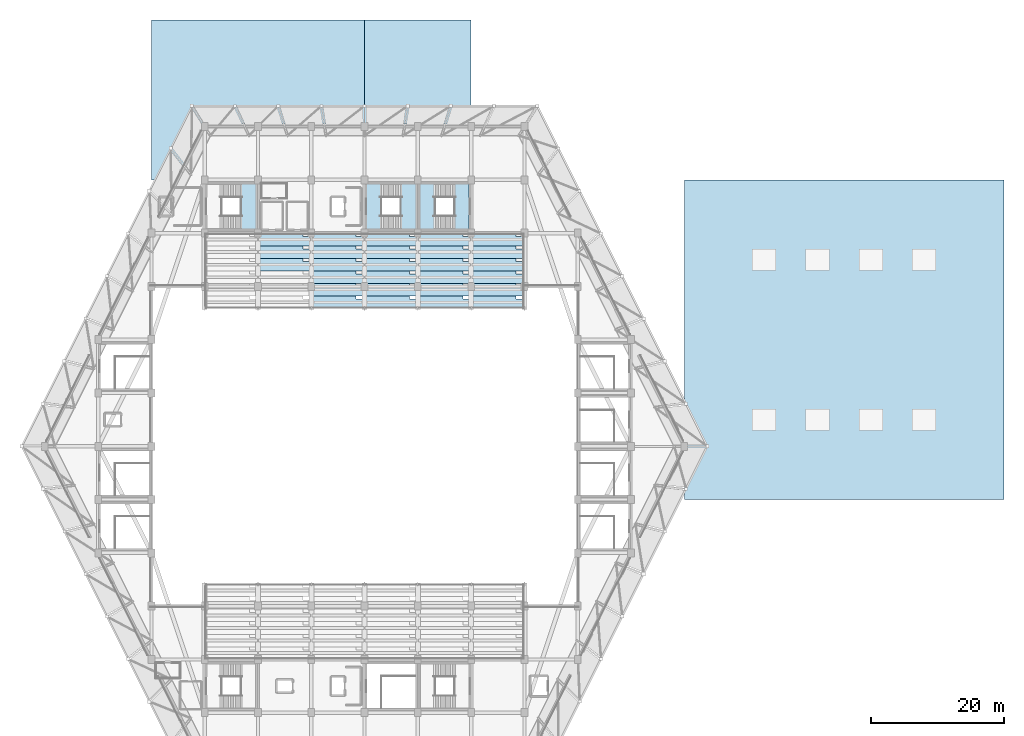
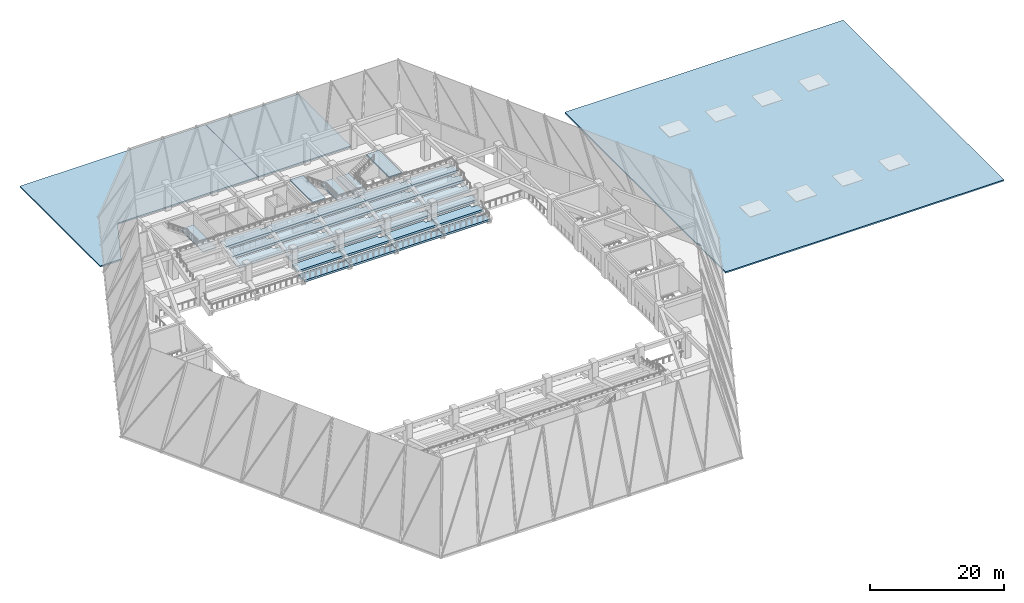
# One storey, part 6 of 24: 35 slabs, 3 elements without a shape of their own.
"""IFC4 building model written with IfcOpenShell, lengths in metres."""

from ifc_helpers import new_model, si_unit, direction, frame, origin, place, context, subcontext, project, spatial, polyline, outline, extrude, material, layer, layer_set, type_object, element, aggregate, save


model = new_model("IFC4")

# Units and contexts
model_context = context("Model", 3, precision=1e-05, world=origin(), true_north=direction((0.0, 1.0)))
body_context = subcontext(model_context, "Body", "Model", "MODEL_VIEW")
ifc_project = project(units=[si_unit("LENGTHUNIT", "METRE"), si_unit("AREAUNIT", "SQUARE_METRE"), si_unit("VOLUMEUNIT", "CUBIC_METRE"), si_unit("PLANEANGLEUNIT", "RADIAN"), si_unit("MASSUNIT", "GRAM", prefix="KILO")], contexts=[model_context])

# Site, building, storey
site_placement = place(None, origin())
site = spatial("IfcSite", under=ifc_project, at=site_placement, CompositionType="ELEMENT")
building_placement = place(site_placement, origin())
building = spatial("IfcBuilding", under=site, at=building_placement, Name="Tazarka Park Arena", CompositionType="ELEMENT")
storey_placement = place(building_placement, frame((0.0, 0.0, 15.0)))
storey = spatial("IfcBuildingStorey", under=building, at=storey_placement, Name="L03", CompositionType="ELEMENT", Elevation=15.0)

# Stair, slabs
ifc_material_1 = material(Name="Precast concrete C40/50", Category="concrete")
stair_type = type_object("IfcStairType", Name="STR-2400", PredefinedType="HALF_TURN_STAIR", material=ifc_material_1)
stair_1_placement = place(storey_placement, origin())
stair_1 = element("IfcStair", 1, at=stair_1_placement, inside=storey, type_object=stair_type, Name="Stair ST10 L03", PredefinedType="HALF_TURN_STAIR")
ifc_material_2 = material(Name="Precast concrete C40/50", Category="concrete")
ifc_layer_1 = layer(ifc_material_2, 0.219970703125, Name="Precast concrete C40/50")
ifc_layer_set_1 = layer_set([ifc_layer_1], Name="Precast concrete C40/50")
slab_type_1 = type_object("IfcSlabType", Name="LND-02", PredefinedType="LANDING", material=ifc_layer_set_1)
slab_1_placement = place(storey_placement, frame((0.0, 0.0, 2.179931640625)))
slab_1 = element("IfcSlab", 2, at=slab_1_placement, type_object=slab_type_1, Name="ST10-L03 landing 1", PredefinedType="LANDING", context=body_context, shape_type="SweptSolid", body=[
    extrude(outline(polyline([(96.31005859375, 96.610107421875), (98.590087890625, 96.610107421875), (98.590087890625, 103.389892578125), (96.31005859375, 103.389892578125), (96.31005859375, 96.610107421875)])), origin(), (0.0, 0.0, 1.0), 0.219970703125),
])
slab_2_placement = place(storey_placement, frame((0.0, 0.0, 4.580078125)))
slab_2 = element("IfcSlab", 3, at=slab_2_placement, type_object=slab_type_1, Name="ST10-L03 landing 2", PredefinedType="LANDING", context=body_context, shape_type="SweptSolid", body=[
    extrude(outline(polyline([(101.465087890625, 96.610107421875), (103.68994140625, 96.610107421875), (103.68994140625, 103.389892578125), (101.465087890625, 103.389892578125), (101.465087890625, 96.610107421875)])), origin(), (0.0, 0.0, 1.0), 0.219970703125),
])
aggregate(stair_1, [slab_1, slab_2])

# Stair, slab
stair_2_placement = place(storey_placement, origin())
stair_2 = element("IfcStair", 4, at=stair_2_placement, inside=storey, type_object=stair_type, Name="Stair ST14 L03", PredefinedType="HALF_TURN_STAIR")
slab_3_placement = place(storey_placement, frame((0.0, 0.0, 2.179931640625)))
slab_3 = element("IfcSlab", 5, at=slab_3_placement, type_object=slab_type_1, Name="ST14-L03 landing 1", PredefinedType="LANDING", context=body_context, shape_type="SweptSolid", body=[
    extrude(outline(polyline([(69.409912109375, 96.610107421875), (71.68994140625, 96.610107421875), (71.68994140625, 103.389892578125), (69.409912109375, 103.389892578125), (69.409912109375, 96.610107421875)])), origin(), (0.0, 0.0, 1.0), 0.219970703125),
])
aggregate(stair_2, [slab_3])

# Stair, slabs
stair_3_placement = place(storey_placement, origin())
stair_3 = element("IfcStair", 6, at=stair_3_placement, inside=storey, type_object=stair_type, Name="Stair ST15 L03", PredefinedType="HALF_TURN_STAIR")
slab_4_placement = place(storey_placement, frame((0.0, 0.0, 2.179931640625)))
slab_4 = element("IfcSlab", 7, at=slab_4_placement, type_object=slab_type_1, Name="ST15-L03 landing 1", PredefinedType="LANDING", context=body_context, shape_type="SweptSolid", body=[
    extrude(outline(polyline([(93.409912109375, 96.610107421875), (95.68994140625, 96.610107421875), (95.68994140625, 103.389892578125), (93.409912109375, 103.389892578125), (93.409912109375, 96.610107421875)])), origin(), (0.0, 0.0, 1.0), 0.219970703125),
])
slab_5_placement = place(storey_placement, frame((0.0, 0.0, 4.580078125)))
slab_5 = element("IfcSlab", 8, at=slab_5_placement, type_object=slab_type_1, Name="ST15-L03 landing 2", PredefinedType="LANDING", context=body_context, shape_type="SweptSolid", body=[
    extrude(outline(polyline([(88.31005859375, 96.610107421875), (90.534912109375, 96.610107421875), (90.534912109375, 103.389892578125), (88.31005859375, 103.389892578125), (88.31005859375, 96.610107421875)])), origin(), (0.0, 0.0, 1.0), 0.219970703125),
])
aggregate(stair_3, [slab_4, slab_5])

# Slabs
ifc_material_3 = material(Name="Concrete C35/45", Category="concrete")
ifc_layer_2 = layer(ifc_material_3, 0.25, Name="Concrete C35/45")
ifc_layer_set_2 = layer_set([ifc_layer_2], Name="Concrete C35/45")
slab_type_2 = type_object("IfcSlabType", Name="SLB-RS-03", PredefinedType="ROOF", material=ifc_layer_set_2)
slab_6_placement = place(storey_placement, frame((0.0, 0.0, -0.25)))
element("IfcSlab", 9, at=slab_6_placement, inside=storey, type_object=slab_type_2, Name="WROOF-L03-01", PredefinedType="ROOF", context=body_context, shape_type="SweptSolid", body=[
    extrude(outline(polyline([(64.0, 112.35009765625), (63.80126953125, 112.2880859375), (63.68701171875, 112.156494140625), (59.608642578125, 104.0), (56.0, 104.0), (56.0, 128.0), (87.97998046875, 128.0), (87.97998046875, 112.35009765625), (64.0, 112.35009765625)])), origin(), (0.0, 0.0, 1.0), 0.25),
])
slab_7_placement = place(storey_placement, frame((0.0, 0.0, -0.25)))
element("IfcSlab", 10, at=slab_7_placement, inside=storey, type_object=slab_type_2, Name="WROOF-L03-02", PredefinedType="ROOF", context=body_context, shape_type="SweptSolid", body=[
    extrude(outline(polyline([(104.0, 112.35009765625), (88.02001953125, 112.35009765625), (88.02001953125, 128.0), (104.0, 128.0), (104.0, 112.35009765625)])), origin(), (0.0, 0.0, 1.0), 0.25),
])
slab_8_placement = place(storey_placement, frame((0.0, 0.0, -0.25)))
element("IfcSlab", 11, at=slab_8_placement, inside=storey, type_object=slab_type_2, Name="WROOF-L03-03", PredefinedType="ROOF", context=body_context, shape_type="SweptSolid", body=[
    extrude(outline(polyline([(136.02001953125, 104.0), (184.0, 104.0), (184.0, 56.0), (136.02001953125, 56.0), (136.02001953125, 63.25732421875), (136.349609375, 63.98193359375), (136.327392578125, 64.12353515625), (136.02001953125, 64.74267578125), (136.02001953125, 104.0)])), origin(), (0.0, 0.0, 1.0), 0.25),
])
ifc_material_4 = material(Name="Precast concrete C40/50", Category="concrete")
ifc_layer_3 = layer(ifc_material_4, 0.35009765625, Name="Precast concrete C40/50")
ifc_layer_set_3 = layer_set([ifc_layer_3], Name="Precast concrete C40/50")
slab_type_3 = type_object("IfcSlabType", Name="SLB-TR-01", PredefinedType="USERDEFINED", material=ifc_layer_set_3)
slab_9_placement = place(storey_placement, frame((0.0, 0.0, 0.300048828125)))
element("IfcSlab", 12, at=slab_9_placement, inside=storey, type_object=slab_type_3, Name="Stand Upper Tier N10-1", ObjectType="SEATING TIER", PredefinedType="USERDEFINED", context=body_context, shape_type="SweptSolid", body=[
    extrude(outline(polyline([(80.0400390625, 84.699951171875), (87.9599609375, 84.699951171875), (87.9599609375, 86.10009765625), (86.75, 86.10009765625), (86.75, 86.580078125), (80.0400390625, 86.580078125), (80.0400390625, 84.699951171875)])), origin(), (0.0, 0.0, 1.0), 0.349853515625),
])
slab_10_placement = place(storey_placement, frame((0.0, 0.0, 0.300048828125)))
element("IfcSlab", 13, at=slab_10_placement, inside=storey, type_object=slab_type_3, Name="Stand Upper Tier N11-1", ObjectType="SEATING TIER", PredefinedType="USERDEFINED", context=body_context, shape_type="SweptSolid", body=[
    extrude(outline(polyline([(88.0400390625, 84.699951171875), (95.9599609375, 84.699951171875), (95.9599609375, 86.10009765625), (94.75, 86.10009765625), (94.75, 86.580078125), (88.0400390625, 86.580078125), (88.0400390625, 84.699951171875)])), origin(), (0.0, 0.0, 1.0), 0.349853515625),
])
slab_11_placement = place(storey_placement, frame((0.0, 0.0, 0.300048828125)))
element("IfcSlab", 14, at=slab_11_placement, inside=storey, type_object=slab_type_3, Name="Stand Upper Tier N12-1", ObjectType="SEATING TIER", PredefinedType="USERDEFINED", context=body_context, shape_type="SweptSolid", body=[
    extrude(outline(polyline([(96.0400390625, 84.699951171875), (103.9599609375, 84.699951171875), (103.9599609375, 86.10009765625), (102.75, 86.10009765625), (102.75, 86.580078125), (96.0400390625, 86.580078125), (96.0400390625, 84.699951171875)])), origin(), (0.0, 0.0, 1.0), 0.349853515625),
])
slab_12_placement = place(storey_placement, frame((0.0, 0.0, 0.300048828125)))
element("IfcSlab", 15, at=slab_12_placement, inside=storey, type_object=slab_type_3, Name="Stand Upper Tier N13-1", ObjectType="SEATING TIER", PredefinedType="USERDEFINED", context=body_context, shape_type="SweptSolid", body=[
    extrude(outline(polyline([(104.0400390625, 84.699951171875), (111.9599609375, 84.699951171875), (111.9599609375, 86.10009765625), (110.75, 86.10009765625), (110.75, 86.580078125), (104.0400390625, 86.580078125), (104.0400390625, 84.699951171875)])), origin(), (0.0, 0.0, 1.0), 0.349853515625),
])
ifc_material_5 = material(Name="Precast concrete C40/50", Category="concrete")
ifc_layer_4 = layer(ifc_material_5, 0.3701171875, Name="Precast concrete C40/50")
ifc_layer_set_4 = layer_set([ifc_layer_4], Name="Precast concrete C40/50")
slab_type_4 = type_object("IfcSlabType", Name="SLB-TR-02", PredefinedType="USERDEFINED", material=ifc_layer_set_4)
slab_13_placement = place(storey_placement, frame((0.0, 0.0, 0.929931640625)))
element("IfcSlab", 16, at=slab_13_placement, inside=storey, type_object=slab_type_4, Name="Stand Upper Tier N10-2", ObjectType="SEATING TIER", PredefinedType="USERDEFINED", context=body_context, shape_type="SweptSolid", body=[
    extrude(outline(polyline([(80.0400390625, 86.580078125), (87.9599609375, 86.580078125), (87.9599609375, 87.97998046875), (86.75, 87.97998046875), (86.75, 88.4599609375), (80.0400390625, 88.4599609375), (80.0400390625, 86.580078125)])), origin(), (0.0, 0.0, 1.0), 0.3701171875),
])
slab_14_placement = place(storey_placement, frame((0.0, 0.0, 0.929931640625)))
element("IfcSlab", 17, at=slab_14_placement, inside=storey, type_object=slab_type_4, Name="Stand Upper Tier N11-2", ObjectType="SEATING TIER", PredefinedType="USERDEFINED", context=body_context, shape_type="SweptSolid", body=[
    extrude(outline(polyline([(88.0400390625, 86.580078125), (95.9599609375, 86.580078125), (95.9599609375, 87.97998046875), (94.75, 87.97998046875), (94.75, 88.4599609375), (88.0400390625, 88.4599609375), (88.0400390625, 86.580078125)])), origin(), (0.0, 0.0, 1.0), 0.3701171875),
])
slab_15_placement = place(storey_placement, frame((0.0, 0.0, 0.929931640625)))
element("IfcSlab", 18, at=slab_15_placement, inside=storey, type_object=slab_type_4, Name="Stand Upper Tier N12-2", ObjectType="SEATING TIER", PredefinedType="USERDEFINED", context=body_context, shape_type="SweptSolid", body=[
    extrude(outline(polyline([(96.0400390625, 86.580078125), (103.9599609375, 86.580078125), (103.9599609375, 87.97998046875), (102.75, 87.97998046875), (102.75, 88.4599609375), (96.0400390625, 88.4599609375), (96.0400390625, 86.580078125)])), origin(), (0.0, 0.0, 1.0), 0.3701171875),
])
slab_16_placement = place(storey_placement, frame((0.0, 0.0, 0.929931640625)))
element("IfcSlab", 19, at=slab_16_placement, inside=storey, type_object=slab_type_4, Name="Stand Upper Tier N13-2", ObjectType="SEATING TIER", PredefinedType="USERDEFINED", context=body_context, shape_type="SweptSolid", body=[
    extrude(outline(polyline([(104.0400390625, 86.580078125), (111.9599609375, 86.580078125), (111.9599609375, 87.97998046875), (110.75, 87.97998046875), (110.75, 88.4599609375), (104.0400390625, 88.4599609375), (104.0400390625, 86.580078125)])), origin(), (0.0, 0.0, 1.0), 0.3701171875),
])
ifc_material_6 = material(Name="Precast concrete C40/50", Category="concrete")
ifc_layer_5 = layer(ifc_material_6, 0.389892578125, Name="Precast concrete C40/50")
ifc_layer_set_5 = layer_set([ifc_layer_5], Name="Precast concrete C40/50")
slab_type_5 = type_object("IfcSlabType", Name="SLB-TR-03", PredefinedType="USERDEFINED", material=ifc_layer_set_5)
slab_17_placement = place(storey_placement, frame((0.0, 0.0, 1.56005859375)))
element("IfcSlab", 20, at=slab_17_placement, inside=storey, type_object=slab_type_5, Name="Stand Upper Tier N10-3", ObjectType="SEATING TIER", PredefinedType="USERDEFINED", context=body_context, shape_type="SweptSolid", body=[
    extrude(outline(polyline([(80.0400390625, 88.4599609375), (87.9599609375, 88.4599609375), (87.9599609375, 89.860107421875), (86.75, 89.860107421875), (86.75, 90.340087890625), (80.0400390625, 90.340087890625), (80.0400390625, 88.4599609375)])), origin(), (0.0, 0.0, 1.0), 0.389892578125),
])
slab_18_placement = place(storey_placement, frame((0.0, 0.0, 1.56005859375)))
element("IfcSlab", 21, at=slab_18_placement, inside=storey, type_object=slab_type_5, Name="Stand Upper Tier N11-3", ObjectType="SEATING TIER", PredefinedType="USERDEFINED", context=body_context, shape_type="SweptSolid", body=[
    extrude(outline(polyline([(88.0400390625, 88.4599609375), (95.9599609375, 88.4599609375), (95.9599609375, 89.860107421875), (94.75, 89.860107421875), (94.75, 90.340087890625), (88.0400390625, 90.340087890625), (88.0400390625, 88.4599609375)])), origin(), (0.0, 0.0, 1.0), 0.389892578125),
])
slab_19_placement = place(storey_placement, frame((0.0, 0.0, 1.56005859375)))
element("IfcSlab", 22, at=slab_19_placement, inside=storey, type_object=slab_type_5, Name="Stand Upper Tier N12-3", ObjectType="SEATING TIER", PredefinedType="USERDEFINED", context=body_context, shape_type="SweptSolid", body=[
    extrude(outline(polyline([(96.0400390625, 88.4599609375), (103.9599609375, 88.4599609375), (103.9599609375, 89.860107421875), (102.75, 89.860107421875), (102.75, 90.340087890625), (96.0400390625, 90.340087890625), (96.0400390625, 88.4599609375)])), origin(), (0.0, 0.0, 1.0), 0.389892578125),
])
slab_20_placement = place(storey_placement, frame((0.0, 0.0, 1.56005859375)))
element("IfcSlab", 23, at=slab_20_placement, inside=storey, type_object=slab_type_5, Name="Stand Upper Tier N13-3", ObjectType="SEATING TIER", PredefinedType="USERDEFINED", context=body_context, shape_type="SweptSolid", body=[
    extrude(outline(polyline([(104.0400390625, 88.4599609375), (111.9599609375, 88.4599609375), (111.9599609375, 89.860107421875), (110.75, 89.860107421875), (110.75, 90.340087890625), (104.0400390625, 90.340087890625), (104.0400390625, 88.4599609375)])), origin(), (0.0, 0.0, 1.0), 0.389892578125),
])
ifc_material_7 = material(Name="Precast concrete C40/50", Category="concrete")
ifc_layer_6 = layer(ifc_material_7, 0.409912109375, Name="Precast concrete C40/50")
ifc_layer_set_6 = layer_set([ifc_layer_6], Name="Precast concrete C40/50")
slab_type_6 = type_object("IfcSlabType", Name="SLB-TR-04", PredefinedType="USERDEFINED", material=ifc_layer_set_6)
slab_21_placement = place(storey_placement, frame((0.0, 0.0, 2.18994140625)))
element("IfcSlab", 24, at=slab_21_placement, inside=storey, type_object=slab_type_6, Name="Stand Upper Tier N09-4", ObjectType="SEATING TIER", PredefinedType="USERDEFINED", context=body_context, shape_type="SweptSolid", body=[
    extrude(outline(polyline([(72.0400390625, 90.340087890625), (79.9599609375, 90.340087890625), (79.9599609375, 91.739990234375), (78.75, 91.739990234375), (78.75, 92.219970703125), (72.0400390625, 92.219970703125), (72.0400390625, 90.340087890625)])), origin(), (0.0, 0.0, 1.0), 0.41015625),
])
slab_22_placement = place(storey_placement, frame((0.0, 0.0, 2.18994140625)))
element("IfcSlab", 25, at=slab_22_placement, inside=storey, type_object=slab_type_6, Name="Stand Upper Tier N10-4", ObjectType="SEATING TIER", PredefinedType="USERDEFINED", context=body_context, shape_type="SweptSolid", body=[
    extrude(outline(polyline([(80.0400390625, 90.340087890625), (87.9599609375, 90.340087890625), (87.9599609375, 91.739990234375), (86.75, 91.739990234375), (86.75, 92.219970703125), (80.0400390625, 92.219970703125), (80.0400390625, 90.340087890625)])), origin(), (0.0, 0.0, 1.0), 0.41015625),
])
slab_23_placement = place(storey_placement, frame((0.0, 0.0, 2.18994140625)))
element("IfcSlab", 26, at=slab_23_placement, inside=storey, type_object=slab_type_6, Name="Stand Upper Tier N11-4", ObjectType="SEATING TIER", PredefinedType="USERDEFINED", context=body_context, shape_type="SweptSolid", body=[
    extrude(outline(polyline([(88.0400390625, 90.340087890625), (95.9599609375, 90.340087890625), (95.9599609375, 91.739990234375), (94.75, 91.739990234375), (94.75, 92.219970703125), (88.0400390625, 92.219970703125), (88.0400390625, 90.340087890625)])), origin(), (0.0, 0.0, 1.0), 0.41015625),
])
slab_24_placement = place(storey_placement, frame((0.0, 0.0, 2.18994140625)))
element("IfcSlab", 27, at=slab_24_placement, inside=storey, type_object=slab_type_6, Name="Stand Upper Tier N12-4", ObjectType="SEATING TIER", PredefinedType="USERDEFINED", context=body_context, shape_type="SweptSolid", body=[
    extrude(outline(polyline([(96.0400390625, 90.340087890625), (103.9599609375, 90.340087890625), (103.9599609375, 91.739990234375), (102.75, 91.739990234375), (102.75, 92.219970703125), (96.0400390625, 92.219970703125), (96.0400390625, 90.340087890625)])), origin(), (0.0, 0.0, 1.0), 0.41015625),
])
slab_25_placement = place(storey_placement, frame((0.0, 0.0, 2.18994140625)))
element("IfcSlab", 28, at=slab_25_placement, inside=storey, type_object=slab_type_6, Name="Stand Upper Tier N13-4", ObjectType="SEATING TIER", PredefinedType="USERDEFINED", context=body_context, shape_type="SweptSolid", body=[
    extrude(outline(polyline([(104.0400390625, 90.340087890625), (111.9599609375, 90.340087890625), (111.9599609375, 91.739990234375), (110.75, 91.739990234375), (110.75, 92.219970703125), (104.0400390625, 92.219970703125), (104.0400390625, 90.340087890625)])), origin(), (0.0, 0.0, 1.0), 0.41015625),
])
ifc_material_8 = material(Name="Precast concrete C40/50", Category="concrete")
ifc_layer_7 = layer(ifc_material_8, 0.429931640625, Name="Precast concrete C40/50")
ifc_layer_set_7 = layer_set([ifc_layer_7], Name="Precast concrete C40/50")
slab_type_7 = type_object("IfcSlabType", Name="SLB-TR-05", PredefinedType="USERDEFINED", material=ifc_layer_set_7)
slab_26_placement = place(storey_placement, frame((0.0, 0.0, 2.820068359375)))
element("IfcSlab", 29, at=slab_26_placement, inside=storey, type_object=slab_type_7, Name="Stand Upper Tier N09-5", ObjectType="SEATING TIER", PredefinedType="USERDEFINED", context=body_context, shape_type="SweptSolid", body=[
    extrude(outline(polyline([(72.0400390625, 92.219970703125), (79.9599609375, 92.219970703125), (79.9599609375, 93.6201171875), (78.75, 93.6201171875), (78.75, 94.10009765625), (72.0400390625, 94.10009765625), (72.0400390625, 92.219970703125)])), origin(), (0.0, 0.0, 1.0), 0.429931640625),
])
slab_27_placement = place(storey_placement, frame((0.0, 0.0, 2.820068359375)))
element("IfcSlab", 30, at=slab_27_placement, inside=storey, type_object=slab_type_7, Name="Stand Upper Tier N10-5", ObjectType="SEATING TIER", PredefinedType="USERDEFINED", context=body_context, shape_type="SweptSolid", body=[
    extrude(outline(polyline([(80.0400390625, 92.219970703125), (87.9599609375, 92.219970703125), (87.9599609375, 93.6201171875), (86.75, 93.6201171875), (86.75, 94.10009765625), (80.0400390625, 94.10009765625), (80.0400390625, 92.219970703125)])), origin(), (0.0, 0.0, 1.0), 0.429931640625),
])
slab_28_placement = place(storey_placement, frame((0.0, 0.0, 2.820068359375)))
element("IfcSlab", 31, at=slab_28_placement, inside=storey, type_object=slab_type_7, Name="Stand Upper Tier N11-5", ObjectType="SEATING TIER", PredefinedType="USERDEFINED", context=body_context, shape_type="SweptSolid", body=[
    extrude(outline(polyline([(88.0400390625, 92.219970703125), (95.9599609375, 92.219970703125), (95.9599609375, 93.6201171875), (94.75, 93.6201171875), (94.75, 94.10009765625), (88.0400390625, 94.10009765625), (88.0400390625, 92.219970703125)])), origin(), (0.0, 0.0, 1.0), 0.429931640625),
])
slab_29_placement = place(storey_placement, frame((0.0, 0.0, 2.820068359375)))
element("IfcSlab", 32, at=slab_29_placement, inside=storey, type_object=slab_type_7, Name="Stand Upper Tier N12-5", ObjectType="SEATING TIER", PredefinedType="USERDEFINED", context=body_context, shape_type="SweptSolid", body=[
    extrude(outline(polyline([(96.0400390625, 92.219970703125), (103.9599609375, 92.219970703125), (103.9599609375, 93.6201171875), (102.75, 93.6201171875), (102.75, 94.10009765625), (96.0400390625, 94.10009765625), (96.0400390625, 92.219970703125)])), origin(), (0.0, 0.0, 1.0), 0.429931640625),
])
slab_30_placement = place(storey_placement, frame((0.0, 0.0, 2.820068359375)))
element("IfcSlab", 33, at=slab_30_placement, inside=storey, type_object=slab_type_7, Name="Stand Upper Tier N13-5", ObjectType="SEATING TIER", PredefinedType="USERDEFINED", context=body_context, shape_type="SweptSolid", body=[
    extrude(outline(polyline([(104.0400390625, 92.219970703125), (111.9599609375, 92.219970703125), (111.9599609375, 93.6201171875), (110.75, 93.6201171875), (110.75, 94.10009765625), (104.0400390625, 94.10009765625), (104.0400390625, 92.219970703125)])), origin(), (0.0, 0.0, 1.0), 0.429931640625),
])
ifc_material_9 = material(Name="Precast concrete C40/50", Category="concrete")
ifc_layer_8 = layer(ifc_material_9, 0.43994140625, Name="Precast concrete C40/50")
ifc_layer_set_8 = layer_set([ifc_layer_8], Name="Precast concrete C40/50")
slab_type_8 = type_object("IfcSlabType", Name="SLB-TR-06", PredefinedType="USERDEFINED", material=ifc_layer_set_8)
slab_31_placement = place(storey_placement, frame((0.0, 0.0, 3.4599609375)))
element("IfcSlab", 34, at=slab_31_placement, inside=storey, type_object=slab_type_8, Name="Stand Upper Tier N09-6", ObjectType="SEATING TIER", PredefinedType="USERDEFINED", context=body_context, shape_type="SweptSolid", body=[
    extrude(outline(polyline([(72.0400390625, 94.10009765625), (79.9599609375, 94.10009765625), (79.9599609375, 95.5), (78.75, 95.5), (78.75, 95.97998046875), (72.0400390625, 95.97998046875), (72.0400390625, 94.10009765625)])), origin(), (0.0, 0.0, 1.0), 0.43994140625),
])
slab_32_placement = place(storey_placement, frame((0.0, 0.0, 3.4599609375)))
element("IfcSlab", 35, at=slab_32_placement, inside=storey, type_object=slab_type_8, Name="Stand Upper Tier N10-6", ObjectType="SEATING TIER", PredefinedType="USERDEFINED", context=body_context, shape_type="SweptSolid", body=[
    extrude(outline(polyline([(80.0400390625, 94.10009765625), (87.9599609375, 94.10009765625), (87.9599609375, 95.5), (86.75, 95.5), (86.75, 95.97998046875), (80.0400390625, 95.97998046875), (80.0400390625, 94.10009765625)])), origin(), (0.0, 0.0, 1.0), 0.43994140625),
])
slab_33_placement = place(storey_placement, frame((0.0, 0.0, 3.4599609375)))
element("IfcSlab", 36, at=slab_33_placement, inside=storey, type_object=slab_type_8, Name="Stand Upper Tier N11-6", ObjectType="SEATING TIER", PredefinedType="USERDEFINED", context=body_context, shape_type="SweptSolid", body=[
    extrude(outline(polyline([(88.0400390625, 94.10009765625), (95.9599609375, 94.10009765625), (95.9599609375, 95.5), (94.75, 95.5), (94.75, 95.97998046875), (88.0400390625, 95.97998046875), (88.0400390625, 94.10009765625)])), origin(), (0.0, 0.0, 1.0), 0.43994140625),
])
slab_34_placement = place(storey_placement, frame((0.0, 0.0, 3.4599609375)))
element("IfcSlab", 37, at=slab_34_placement, inside=storey, type_object=slab_type_8, Name="Stand Upper Tier N12-6", ObjectType="SEATING TIER", PredefinedType="USERDEFINED", context=body_context, shape_type="SweptSolid", body=[
    extrude(outline(polyline([(96.0400390625, 94.10009765625), (103.9599609375, 94.10009765625), (103.9599609375, 95.5), (102.75, 95.5), (102.75, 95.97998046875), (96.0400390625, 95.97998046875), (96.0400390625, 94.10009765625)])), origin(), (0.0, 0.0, 1.0), 0.43994140625),
])
slab_35_placement = place(storey_placement, frame((0.0, 0.0, 3.4599609375)))
element("IfcSlab", 38, at=slab_35_placement, inside=storey, type_object=slab_type_8, Name="Stand Upper Tier N13-6", ObjectType="SEATING TIER", PredefinedType="USERDEFINED", context=body_context, shape_type="SweptSolid", body=[
    extrude(outline(polyline([(104.0400390625, 94.10009765625), (111.9599609375, 94.10009765625), (111.9599609375, 95.5), (110.75, 95.5), (110.75, 95.97998046875), (104.0400390625, 95.97998046875), (104.0400390625, 94.10009765625)])), origin(), (0.0, 0.0, 1.0), 0.43994140625),
])

save(model, "model.ifc")
